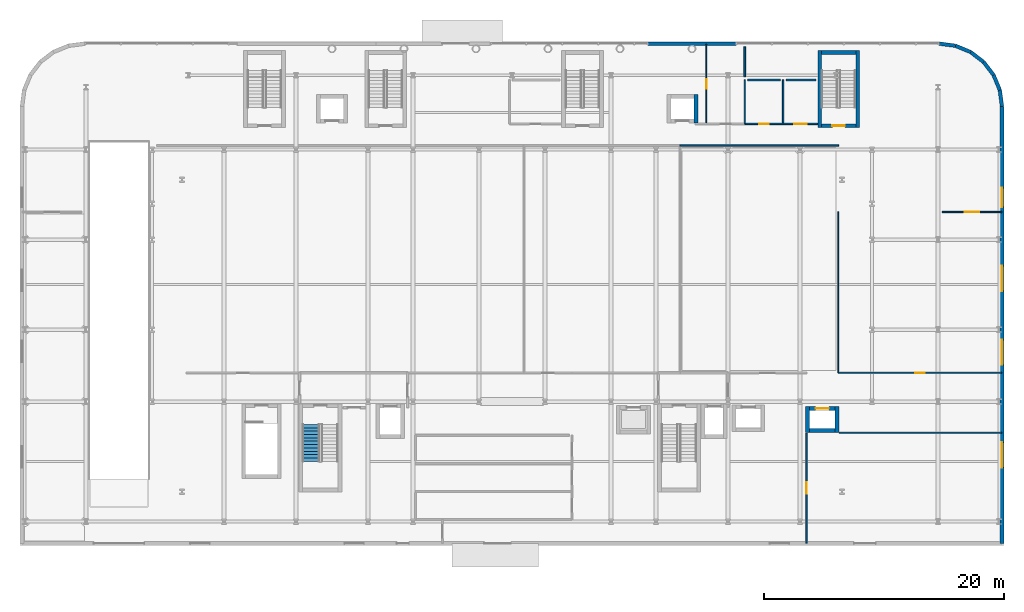
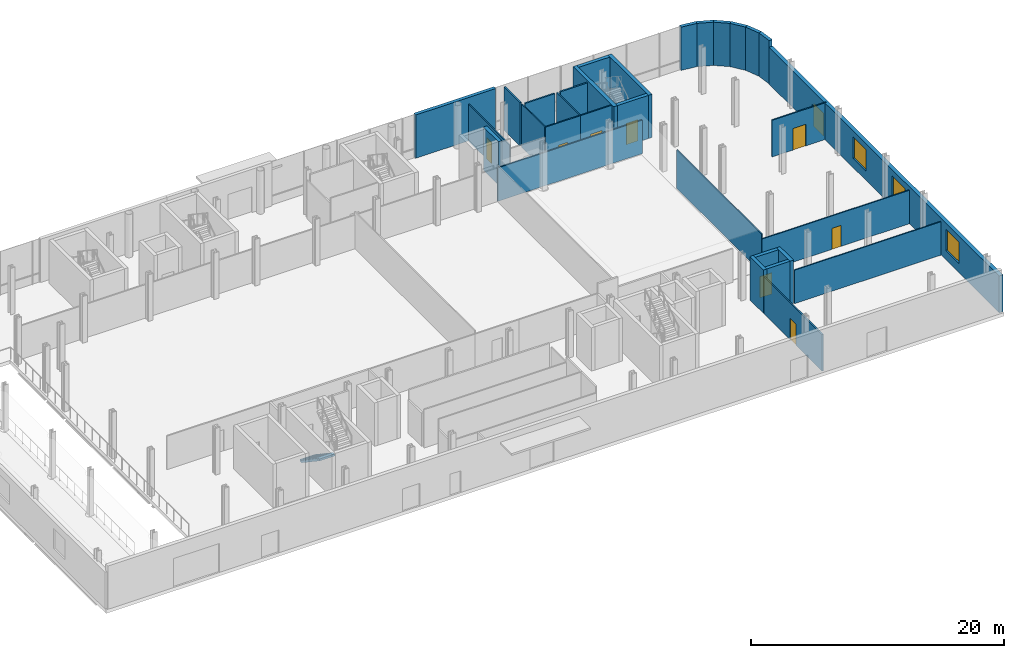
# One storey, part 20 of 28: 31 walls, 9 doors, 3 windows, 1 stair flight, 12 openings, 1 element without a shape of its own.
"""IFC4 building model written with IfcOpenShell, lengths in metres."""

from ifc_helpers import new_model, si_unit, direction, frame, frame_2d, origin, place, context, subcontext, project, spatial, polyline, rectangle, outline, extrude, material, layer, layer_set, type_object, element, fill, aggregate, save


model = new_model("IFC4")

# Units and contexts
model_context = context("Model", 3, precision=1e-05, world=origin(), true_north=direction((0.0, 1.0)))
body_context = subcontext(model_context, "Body", "Model", "MODEL_VIEW")
ifc_project = project(units=[si_unit("LENGTHUNIT", "METRE"), si_unit("AREAUNIT", "SQUARE_METRE"), si_unit("VOLUMEUNIT", "CUBIC_METRE"), si_unit("PLANEANGLEUNIT", "RADIAN"), si_unit("MASSUNIT", "GRAM", prefix="KILO")], contexts=[model_context])

# Site, building, storey
site_placement = place(None, origin())
site = spatial("IfcSite", under=ifc_project, at=site_placement, CompositionType="ELEMENT")
building_placement = place(site_placement, origin())
building = spatial("IfcBuilding", under=site, at=building_placement, Name="Brevholm Reach", CompositionType="ELEMENT")
storey_placement = place(building_placement, origin())
storey = spatial("IfcBuildingStorey", under=building, at=storey_placement, Name="L00", CompositionType="ELEMENT", Elevation=0.0)

# Walls
ifc_material_1 = material(Name="Concrete C60/75", Category="concrete")
ifc_layer_1 = layer(ifc_material_1, 0.320068359375)
ifc_layer_set_1 = layer_set([ifc_layer_1], Name="Concrete C60/75")
wall_type_1 = type_object("IfcWallType", Name="WAL-COR-320", PredefinedType="SHEAR", material=ifc_layer_set_1)
for number, where, z_axis, x_axis, name in (
    (1, (55.639892578125, 32.830078125, 0.0), (0.0, 0.0, 1.0), (0.0, 1.0, 0.0), "L00 Escape Stair ST-S4 Core Wall W"),
    (2, (58.81005859375, 32.830078125, 0.0), (0.0, 0.0, 1.0), (0.0, 1.0, 0.0), "L00 Escape Stair ST-S4 Core Wall E"),
):
    element("IfcWall", number, at=place(storey_placement, frame(where, z_axis=z_axis, x_axis=x_axis)), inside=storey, type_object=wall_type_1, Name=name, PredefinedType="SHEAR", context=body_context, shape_type="SweptSolid", body=[
        extrude(rectangle(XDim=6.419921875, YDim=0.320068359375, at=frame_2d((3.2099609375, 0.0))), origin(), (0.0, 0.0, 1.0), 4.179931640625),
    ])

# Wall, opening, door
wall_1_placement = place(storey_placement, frame((55.800048828125, 32.989990234375, 0.0), z_axis=(0.0, 0.0, 1.0), x_axis=(1.0, 0.0, 0.0)))
wall_1 = element("IfcWall", 3, at=wall_1_placement, inside=storey, type_object=wall_type_1, Name="L00 Escape Stair ST-S4 Core Wall S", PredefinedType="SHEAR", context=body_context, shape_type="SweptSolid", body=[
    extrude(rectangle(XDim=2.849853515625, YDim=0.320068359375, at=frame_2d((1.4248046875, 0.0))), origin(), (0.0, 0.0, 1.0), 4.179931640625),
])
opening_1_placement = place(wall_1_placement, frame((0.89990234375, 0.0, 0.0)))
opening_1 = element("IfcOpeningElement", 4, at=opening_1_placement, cuts=wall_1, Name="Opening SD-ST-S4", PredefinedType="OPENING", context=body_context, shape_type="SweptSolid", body=[
    extrude(rectangle(XDim=1.050048828125, YDim=2.06005859375, at=frame_2d((0.52490234375, 1.030029296875))), frame((0.0, 0.169921875, 0.0), z_axis=(0.0, -1.0, 0.0), x_axis=(1.0, 0.0, 0.0)), (0.0, 0.0, 1.0), 0.340087890625),
])
ifc_material_2 = material(Name="Hardwood-Lipped Steel-Core Fire and Smoke Door", Category="steel")
door_type_1 = type_object("IfcDoorType", Name="DOR-INT-FD60S", OperationType="NOTDEFINED", PredefinedType="DOOR", material=ifc_material_2)
door_1_placement = place(opening_1_placement, origin())
door_1 = element("IfcDoor", 5, at=door_1_placement, inside=storey, type_object=door_type_1, Name="L00 Protected Stair ST-S4 Lobby Door", OperationType="SINGLE_SWING_LEFT", OverallHeight=2.06005859375, OverallWidth=1.050048828125, PredefinedType="DOOR", context=body_context, shape_type="SweptSolid", body=[
    extrude(rectangle(XDim=1.050048828125, YDim=2.06005859375, at=frame_2d((0.52490234375, 1.030029296875))), frame((0.0, 0.02490234375, 0.0), z_axis=(0.0, -1.0, 0.0), x_axis=(1.0, 0.0, 0.0)), (0.0, 0.0, 1.0), 0.050048828125),
])
fill(opening_1, door_1)

# Walls
wall_2_placement = place(storey_placement, frame((58.64990234375, 39.090087890625, 0.0), z_axis=(0.0, 0.0, 1.0), x_axis=(-1.0, 0.0, 0.0)))
element("IfcWall", 6, at=wall_2_placement, inside=storey, type_object=wall_type_1, Name="L00 Escape Stair ST-S4 Core Wall N", PredefinedType="SHEAR", context=body_context, shape_type="SweptSolid", body=[
    extrude(rectangle(XDim=2.849853515625, YDim=0.320068359375, at=frame_2d((1.4248046875, 0.0))), origin(), (0.0, 0.0, 1.0), 4.179931640625),
])
for number, where, z_axis, x_axis, name in (
    (7, (54.6298828125, 7.419921875, 0.0), (0.0, 0.0, 1.0), (0.0, 1.0, 0.0), "L00 Lift PL-L2 Shaft Wall W"),
    (8, (57.070068359375, 7.419921875, 0.0), (0.0, 0.0, 1.0), (0.0, 1.0, 0.0), "L00 Lift PL-L2 Shaft Wall E"),
):
    element("IfcWall", number, at=place(storey_placement, frame(where, z_axis=z_axis, x_axis=x_axis)), inside=storey, type_object=wall_type_1, Name=name, PredefinedType="SHEAR", context=body_context, shape_type="SweptSolid", body=[
        extrude(rectangle(XDim=2.16015625, YDim=0.320068359375, at=frame_2d((1.080078125, 0.0))), origin(), (0.0, 0.0, 1.0), 4.179931640625),
    ])
wall_3_placement = place(storey_placement, frame((54.7900390625, 7.580078125, 0.0), z_axis=(0.0, 0.0, 1.0), x_axis=(1.0, 0.0, 0.0)))
element("IfcWall", 9, at=wall_3_placement, inside=storey, type_object=wall_type_1, Name="L00 Lift PL-L2 Shaft Wall S", PredefinedType="SHEAR", context=body_context, shape_type="SweptSolid", body=[
    extrude(rectangle(XDim=2.119873046875, YDim=0.320068359375, at=frame_2d((1.06005859375, 0.0))), origin(), (0.0, 0.0, 1.0), 4.179931640625),
])

# Wall, opening, door
wall_4_placement = place(storey_placement, frame((54.7900390625, 9.419921875, 0.0), z_axis=(0.0, 0.0, 1.0), x_axis=(1.0, 0.0, 0.0)))
wall_4 = element("IfcWall", 10, at=wall_4_placement, inside=storey, type_object=wall_type_1, Name="L00 Lift PL-L2 Shaft Wall N", PredefinedType="SHEAR", context=body_context, shape_type="SweptSolid", body=[
    extrude(rectangle(XDim=2.119873046875, YDim=0.320068359375, at=frame_2d((1.06005859375, 0.0))), origin(), (0.0, 0.0, 1.0), 4.179931640625),
])
opening_2_placement = place(wall_4_placement, frame((0.510009765625, 0.0, 0.0)))
opening_2 = element("IfcOpeningElement", 11, at=opening_2_placement, cuts=wall_4, Name="Opening LD-PL-L2", PredefinedType="OPENING", context=body_context, shape_type="SweptSolid", body=[
    extrude(rectangle(XDim=1.10009765625, YDim=2.06005859375, at=frame_2d((0.550048828125, 1.030029296875))), frame((0.0, 0.169921875, 0.0), z_axis=(0.0, -1.0, 0.0), x_axis=(1.0, 0.0, 0.0)), (0.0, 0.0, 1.0), 0.340087890625),
])
ifc_material_3 = material(Name="Brushed Stainless Steel Fire-Rated Sliding Lift Door", Category="steel")
door_type_2 = type_object("IfcDoorType", Name="DOR-LFT-1100", OperationType="NOTDEFINED", PredefinedType="DOOR", material=ifc_material_3)
door_2_placement = place(opening_2_placement, origin())
door_2 = element("IfcDoor", 12, at=door_2_placement, inside=storey, type_object=door_type_2, Name="L00 Lift PL-L2 Sliding Landing Door", OperationType="SLIDING_TO_LEFT", OverallHeight=2.06005859375, OverallWidth=1.10009765625, PredefinedType="DOOR", context=body_context, shape_type="SweptSolid", body=[
    extrude(rectangle(XDim=1.10009765625, YDim=2.06005859375, at=frame_2d((0.550048828125, 1.030029296875))), frame((0.0, 0.02490234375, 0.0), z_axis=(0.0, -1.0, 0.0), x_axis=(1.0, 0.0, 0.0)), (0.0, 0.0, 1.0), 0.050048828125),
])
fill(opening_2, door_2)

# Walls
wall_5_placement = place(storey_placement, frame((45.320068359375, 33.219970703125, 0.0), z_axis=(0.0, 0.0, 1.0), x_axis=(0.0, 1.0, 0.0)))
element("IfcWall", 13, at=wall_5_placement, inside=storey, type_object=wall_type_1, Name="L00 Lift SL-2 Shaft Wall E", PredefinedType="SHEAR", context=body_context, shape_type="SweptSolid", body=[
    extrude(rectangle(XDim=2.360107421875, YDim=0.320068359375, at=frame_2d((1.18017578125, 0.0))), origin(), (0.0, 0.0, 1.0), 4.179931640625),
])
ifc_material_4 = material(Name="Concrete C40/50", Category="concrete")
ifc_layer_2 = layer(ifc_material_4, 0.300048828125)
ifc_layer_set_2 = layer_set([ifc_layer_2], Name="Concrete C40/50")
wall_type_2 = type_object("IfcWallType", Name="WAL-EXT-300", PredefinedType="STANDARD", material=ifc_layer_set_2)
wall_6_placement = place(storey_placement, frame((65.60009765625, 39.830078125, 0.0), z_axis=(0.0, 0.0, 1.0), x_axis=(0.991442117533, -0.13054703207, 0.0)))
element("IfcWall", 14, at=wall_6_placement, inside=storey, type_object=wall_type_2, Name="L00 Facade Wall WAL-L00-NEP-1", PredefinedType="STANDARD", context=body_context, shape_type="SweptSolid", body=[
    extrude(rectangle(XDim=1.365234375, YDim=0.300048828125, at=frame_2d((0.6826171875, 0.0))), origin(), (0.0, 0.0, 1.0), 4.179931640625),
])
wall_7_placement = place(storey_placement, frame((66.95361328125, 39.65185546875, 0.0), z_axis=(0.0, 0.0, 1.0), x_axis=(0.923894797396, -0.382646577594, 0.0)))
element("IfcWall", 15, at=wall_7_placement, inside=storey, type_object=wall_type_2, Name="L00 Facade Wall WAL-L00-NEP-2", PredefinedType="STANDARD", context=body_context, shape_type="SweptSolid", body=[
    extrude(rectangle(XDim=1.365478515625, YDim=0.300048828125, at=frame_2d((0.6826171875, 0.0))), origin(), (0.0, 0.0, 1.0), 4.179931640625),
])
for number, where, z_axis, x_axis, name in (
    (16, (68.215087890625, 39.12939453125, 0.0), (0.0, 0.0, 1.0), (0.793255091989, -0.6088894473, 0.0), "L00 Facade Wall WAL-L00-NEP-3"),
    (17, (69.298095703125, 38.298095703125, 0.0), (0.0, 0.0, 1.0), (0.6088894473, -0.793255091989, 0.0), "L00 Facade Wall WAL-L00-NEP-4"),
):
    element("IfcWall", number, at=place(storey_placement, frame(where, z_axis=z_axis, x_axis=x_axis)), inside=storey, type_object=wall_type_2, Name=name, PredefinedType="STANDARD", context=body_context, shape_type="SweptSolid", body=[
        extrude(rectangle(XDim=1.365234375, YDim=0.300048828125, at=frame_2d((0.6826171875, 0.0))), origin(), (0.0, 0.0, 1.0), 4.179931640625),
    ])
wall_8_placement = place(storey_placement, frame((70.12939453125, 37.215087890625, 0.0), z_axis=(0.0, 0.0, 1.0), x_axis=(0.382646577594, -0.923894797396, 0.0)))
element("IfcWall", 18, at=wall_8_placement, inside=storey, type_object=wall_type_2, Name="L00 Facade Wall WAL-L00-NEP-5", PredefinedType="STANDARD", context=body_context, shape_type="SweptSolid", body=[
    extrude(rectangle(XDim=1.365478515625, YDim=0.300048828125, at=frame_2d((0.6826171875, 0.0))), origin(), (0.0, 0.0, 1.0), 4.179931640625),
])
wall_9_placement = place(storey_placement, frame((70.65185546875, 35.95361328125, 0.0), z_axis=(0.0, 0.0, 1.0), x_axis=(0.13054703207, -0.991442117533, 0.0)))
element("IfcWall", 19, at=wall_9_placement, inside=storey, type_object=wall_type_2, Name="L00 Facade Wall WAL-L00-NEP-6", PredefinedType="STANDARD", context=body_context, shape_type="SweptSolid", body=[
    extrude(rectangle(XDim=1.365234375, YDim=0.300048828125, at=frame_2d((0.6826171875, 0.0))), origin(), (0.0, 0.0, 1.0), 4.179931640625),
])
wall_10_placement = place(storey_placement, frame((41.35009765625, 39.830078125, 0.0), z_axis=(0.0, 0.0, 1.0), x_axis=(1.0, 0.0, 0.0)))
element("IfcWall", 20, at=wall_10_placement, inside=storey, type_object=wall_type_2, Name="L00 Facade Wall WAL-L00-NPE", PredefinedType="STANDARD", context=body_context, shape_type="SweptSolid", body=[
    extrude(rectangle(XDim=7.2998046875, YDim=0.300048828125, at=frame_2d((3.64990234375, 0.0))), origin(), (0.0, 0.0, 1.0), 4.179931640625),
])

# Wall, openings, door, windows
ifc_material_5 = material(Name="Concrete C40/50", Category="concrete")
ifc_layer_3 = layer(ifc_material_5, 0.340087890625)
ifc_layer_set_3 = layer_set([ifc_layer_3], Name="Concrete C40/50")
wall_type_3 = type_object("IfcWallType", Name="WAL-EXT-340", PredefinedType="STANDARD", material=ifc_layer_set_3)
wall_11_placement = place(storey_placement, frame((70.830078125, 34.60009765625, 0.0), z_axis=(0.0, 0.0, 1.0), x_axis=(0.0, -1.0, 0.0)))
wall_11 = element("IfcWall", 21, at=wall_11_placement, inside=storey, type_object=wall_type_3, Name="L00 Facade Wall WAL-L00-E", PredefinedType="STANDARD", context=body_context, shape_type="SweptSolid", body=[
    extrude(rectangle(XDim=36.43017578125, YDim=0.340087890625, at=frame_2d((18.215087890625, 0.0))), origin(), (0.0, 0.0, 1.0), 3.542724609375),
])
opening_3_placement = place(wall_11_placement, frame((6.800048828125, 0.0, 0.0)))
opening_3 = element("IfcOpeningElement", 22, at=opening_3_placement, cuts=wall_11, Name="Opening ED-03", PredefinedType="OPENING", context=body_context, shape_type="SweptSolid", body=[
    extrude(rectangle(XDim=1.60009765625, YDim=2.199951171875, at=frame_2d((0.800048828125, 1.10009765625))), frame((0.0, 0.179931640625, 0.0), z_axis=(0.0, -1.0, 0.0), x_axis=(1.0, 0.0, 0.0)), (0.0, 0.0, 1.0), 0.360107421875),
])
opening_4_placement = place(wall_11_placement, frame((28.0, 0.0, 0.89990234375)))
opening_4 = element("IfcOpeningElement", 23, at=opening_4_placement, cuts=wall_11, Name="Opening WN-02", PredefinedType="OPENING", context=body_context, shape_type="SweptSolid", body=[
    extrude(rectangle(XDim=2.10009765625, YDim=2.050048828125, at=frame_2d((1.050048828125, 1.02490234375))), frame((0.0, 0.179931640625, 0.0), z_axis=(0.0, -1.0, 0.0), x_axis=(1.0, 0.0, 0.0)), (0.0, 0.0, 1.0), 0.360107421875),
])
opening_5_placement = place(wall_11_placement, frame((19.449951171875, 0.0, 0.89990234375)))
opening_5 = element("IfcOpeningElement", 24, at=opening_5_placement, cuts=wall_11, Name="Opening WN-02", PredefinedType="OPENING", context=body_context, shape_type="SweptSolid", body=[
    extrude(rectangle(XDim=2.10009765625, YDim=2.050048828125, at=frame_2d((1.050048828125, 1.02490234375))), frame((0.0, 0.179931640625, 0.0), z_axis=(0.0, -1.0, 0.0), x_axis=(1.0, 0.0, 0.0)), (0.0, 0.0, 1.0), 0.360107421875),
])
opening_6_placement = place(wall_11_placement, frame((13.300048828125, 0.0, 0.89990234375)))
opening_6 = element("IfcOpeningElement", 25, at=opening_6_placement, cuts=wall_11, Name="Opening WN-02", PredefinedType="OPENING", context=body_context, shape_type="SweptSolid", body=[
    extrude(rectangle(XDim=2.10009765625, YDim=2.050048828125, at=frame_2d((1.050048828125, 1.02490234375))), frame((0.0, 0.179931640625, 0.0), z_axis=(0.0, -1.0, 0.0), x_axis=(1.0, 0.0, 0.0)), (0.0, 0.0, 1.0), 0.360107421875),
])
ifc_material_6 = material(Name="Marine Powder-Coated Galvanised Steel", Category="steel")
door_type_3 = type_object("IfcDoorType", Name="DOR-EXT-ESC", OperationType="NOTDEFINED", PredefinedType="DOOR", material=ifc_material_6)
door_3_placement = place(opening_3_placement, origin())
door_3 = element("IfcDoor", 26, at=door_3_placement, inside=storey, type_object=door_type_3, Name="L00 Exterior Door DOR-L00-EXIT-NE", OperationType="DOUBLE_DOOR_SINGLE_SWING", OverallHeight=2.199951171875, OverallWidth=1.60009765625, PredefinedType="DOOR", context=body_context, shape_type="SweptSolid", body=[
    extrude(rectangle(XDim=1.60009765625, YDim=2.199951171875, at=frame_2d((0.800048828125, 1.10009765625))), frame((0.0, 0.02490234375, 0.0), z_axis=(0.0, -1.0, 0.0), x_axis=(1.0, 0.0, 0.0)), (0.0, 0.0, 1.0), 0.050048828125),
])
fill(opening_3, door_3)
ifc_material_7 = material(Name="Dark Anodised Aluminium and Solar-Control IGU Glass", Category="aluminium")
window_type = type_object("IfcWindowType", Name="WIN-SCH-2100", PartitioningType="SINGLE_PANEL", PredefinedType="WINDOW", material=ifc_material_7)
window_1_placement = place(opening_4_placement, origin())
window_1 = element("IfcWindow", 27, at=window_1_placement, inside=storey, type_object=window_type, Name="L00 Window WIN-L00-E-1", OverallHeight=2.050048828125, OverallWidth=2.10009765625, PartitioningType="SINGLE_PANEL", PredefinedType="WINDOW", context=body_context, shape_type="SweptSolid", body=[
    extrude(rectangle(XDim=2.10009765625, YDim=2.050048828125, at=frame_2d((1.050048828125, 1.02490234375))), frame((0.0, 0.030029296875, 0.0), z_axis=(0.0, -1.0, 0.0), x_axis=(1.0, 0.0, 0.0)), (0.0, 0.0, 1.0), 0.06005859375),
])
fill(opening_4, window_1)
window_2_placement = place(opening_5_placement, origin())
window_2 = element("IfcWindow", 28, at=window_2_placement, inside=storey, type_object=window_type, Name="L00 Window WIN-L00-E-2", OverallHeight=2.050048828125, OverallWidth=2.10009765625, PartitioningType="SINGLE_PANEL", PredefinedType="WINDOW", context=body_context, shape_type="SweptSolid", body=[
    extrude(rectangle(XDim=2.10009765625, YDim=2.050048828125, at=frame_2d((1.050048828125, 1.02490234375))), frame((0.0, 0.030029296875, 0.0), z_axis=(0.0, -1.0, 0.0), x_axis=(1.0, 0.0, 0.0)), (0.0, 0.0, 1.0), 0.06005859375),
])
fill(opening_5, window_2)
window_3_placement = place(opening_6_placement, origin())
window_3 = element("IfcWindow", 29, at=window_3_placement, inside=storey, type_object=window_type, Name="L00 Window WIN-L00-E-3", OverallHeight=2.050048828125, OverallWidth=2.10009765625, PartitioningType="SINGLE_PANEL", PredefinedType="WINDOW", context=body_context, shape_type="SweptSolid", body=[
    extrude(rectangle(XDim=2.10009765625, YDim=2.050048828125, at=frame_2d((1.050048828125, 1.02490234375))), frame((0.0, 0.030029296875, 0.0), z_axis=(0.0, -1.0, 0.0), x_axis=(1.0, 0.0, 0.0)), (0.0, 0.0, 1.0), 0.06005859375),
])
fill(opening_6, window_3)

# Wall
ifc_material_8 = material(Name="Moisture-Resistant Acoustic Gypsum Stud Partition 100 mm", Category="gypsum")
ifc_layer_4 = layer(ifc_material_8, 0.10009765625)
ifc_layer_set_4 = layer_set([ifc_layer_4], Name="Moisture-Resistant Acoustic Gypsum Stud Partition 100 mm")
wall_type_4 = type_object("IfcWallType", Name="WAL-PRT-100", PredefinedType="PARTITIONING", material=ifc_layer_set_4)
wall_12_placement = place(storey_placement, frame((57.27001953125, 7.39990234375, 0.0), z_axis=(0.0, 0.0, 1.0), x_axis=(1.0, 0.0, 0.0)))
element("IfcWall", 30, at=wall_12_placement, inside=storey, type_object=wall_type_4, Name="L00 Internal Partition 024", PredefinedType="PARTITIONING", context=body_context, shape_type="SweptSolid", body=[
    extrude(rectangle(XDim=13.530029296875, YDim=0.10009765625, at=frame_2d((6.76513671875, 0.0))), origin(), (0.0, 0.0, 1.0), 3.228515625),
])

# Wall, opening, door
wall_13_placement = place(storey_placement, frame((57.199951171875, 12.39990234375, 0.0), z_axis=(0.0, 0.0, 1.0), x_axis=(1.0, 0.0, 0.0)))
wall_13 = element("IfcWall", 31, at=wall_13_placement, inside=storey, type_object=wall_type_4, Name="L00 Internal Partition 025", PredefinedType="PARTITIONING", context=body_context, shape_type="SweptSolid", body=[
    extrude(rectangle(XDim=13.60009765625, YDim=0.10009765625, at=frame_2d((6.800048828125, 0.0))), origin(), (0.0, 0.0, 1.0), 3.228515625),
])
opening_7_placement = place(wall_13_placement, frame((6.389892578125, 0.0, 0.0)))
opening_7 = element("IfcOpeningElement", 32, at=opening_7_placement, cuts=wall_13, Name="Opening ID-03", PredefinedType="OPENING", context=body_context, shape_type="SweptSolid", body=[
    extrude(rectangle(XDim=0.820068359375, YDim=2.02001953125, at=frame_2d((0.41015625, 1.010009765625))), frame((0.0, 0.06005859375, 0.0), z_axis=(0.0, -1.0, 0.0), x_axis=(1.0, 0.0, 0.0)), (0.0, 0.0, 1.0), 0.1201171875),
])
ifc_material_9 = material(Name="Moisture-Resistant Painted Timber Internal Bathroom Door", Category="wood")
door_type_4 = type_object("IfcDoorType", Name="DOR-BATH-820", OperationType="NOTDEFINED", PredefinedType="DOOR", material=ifc_material_9)
door_4_placement = place(opening_7_placement, origin())
door_4 = element("IfcDoor", 33, at=door_4_placement, inside=storey, type_object=door_type_4, Name="L00 Access Door 020", OperationType="SINGLE_SWING_LEFT", OverallHeight=2.02001953125, OverallWidth=0.820068359375, PredefinedType="DOOR", context=body_context, shape_type="SweptSolid", body=[
    extrude(rectangle(XDim=0.820068359375, YDim=2.02001953125, at=frame_2d((0.41015625, 1.010009765625))), frame((0.0, 0.02490234375, 0.0), z_axis=(0.0, -1.0, 0.0), x_axis=(1.0, 0.0, 0.0)), (0.0, 0.0, 1.0), 0.050048828125),
])
fill(opening_7, door_4)

wall_14_placement = place(storey_placement, frame((46.199951171875, 33.154052734375, 0.0), z_axis=(0.0, 0.0, 1.0), x_axis=(0.0, 1.0, 0.0)))
wall_14 = element("IfcWall", 34, at=wall_14_placement, inside=storey, type_object=wall_type_4, Name="L00 Internal Partition 037", PredefinedType="PARTITIONING", context=body_context, shape_type="SweptSolid", body=[
    extrude(rectangle(XDim=6.6259765625, YDim=0.10009765625, at=frame_2d((3.31298828125, 0.0))), origin(), (0.0, 0.0, 1.0), 3.542724609375),
])
opening_8_placement = place(wall_14_placement, frame((2.903076171875, 0.0, 0.0)))
opening_8 = element("IfcOpeningElement", 35, at=opening_8_placement, cuts=wall_14, Name="Opening ID-03", PredefinedType="OPENING", context=body_context, shape_type="SweptSolid", body=[
    extrude(rectangle(XDim=0.820068359375, YDim=2.02001953125, at=frame_2d((0.41015625, 1.010009765625))), frame((0.0, 0.06005859375, 0.0), z_axis=(0.0, -1.0, 0.0), x_axis=(1.0, 0.0, 0.0)), (0.0, 0.0, 1.0), 0.1201171875),
])
door_5_placement = place(opening_8_placement, origin())
door_5 = element("IfcDoor", 36, at=door_5_placement, inside=storey, type_object=door_type_4, Name="L00 Access Door 021", OperationType="SINGLE_SWING_RIGHT", OverallHeight=2.02001953125, OverallWidth=0.820068359375, PredefinedType="DOOR", context=body_context, shape_type="SweptSolid", body=[
    extrude(rectangle(XDim=0.820068359375, YDim=2.02001953125, at=frame_2d((0.41015625, 1.010009765625))), frame((0.0, 0.02490234375, 0.0), z_axis=(0.0, -1.0, 0.0), x_axis=(1.0, 0.0, 0.0)), (0.0, 0.0, 1.0), 0.050048828125),
])
fill(opening_8, door_5)

# Walls
wall_15_placement = place(storey_placement, frame((49.39990234375, 33.154052734375, 0.0), z_axis=(0.0, 0.0, 1.0), x_axis=(0.0, 1.0, 0.0)))
element("IfcWall", 37, at=wall_15_placement, inside=storey, type_object=wall_type_4, Name="L00 Internal Partition 038", PredefinedType="PARTITIONING", context=body_context, shape_type="SweptSolid", body=[
    extrude(rectangle(XDim=3.6572265625, YDim=0.10009765625, at=frame_2d((1.82861328125, 0.0))), origin(), (0.0, 0.0, 1.0), 4.179931640625),
])
wall_16_placement = place(storey_placement, frame((57.199951171875, 12.404052734375, 0.0), z_axis=(0.0, 0.0, 1.0), x_axis=(0.0, 1.0, 0.0)))
element("IfcWall", 38, at=wall_16_placement, inside=storey, type_object=wall_type_4, Name="L00 Internal Partition 042", PredefinedType="PARTITIONING", context=body_context, shape_type="SweptSolid", body=[
    extrude(rectangle(XDim=13.4072265625, YDim=0.10009765625, at=frame_2d((6.70361328125, 0.0))), origin(), (0.0, 0.0, 1.0), 3.697998046875),
])

# Wall, opening, door
ifc_material_10 = material(Name="Acoustic Fire-Rated Classroom Gypsum Partition 120 mm", Category="gypsum")
ifc_layer_5 = layer(ifc_material_10, 0.1201171875)
ifc_layer_set_5 = layer_set([ifc_layer_5], Name="Acoustic Fire-Rated Classroom Gypsum Partition 120 mm")
wall_type_5 = type_object("IfcWallType", Name="WAL-PRT-120", PredefinedType="PARTITIONING", material=ifc_layer_set_5)
wall_17_placement = place(storey_placement, frame((54.550048828125, -1.800048828125, 0.0), z_axis=(0.0, 0.0, 1.0), x_axis=(0.0, 1.0, 0.0)))
wall_17 = element("IfcWall", 39, at=wall_17_placement, inside=storey, type_object=wall_type_5, Name="L00 Internal Partition 018", PredefinedType="PARTITIONING", context=body_context, shape_type="SweptSolid", body=[
    extrude(rectangle(XDim=9.179931640625, YDim=0.1201171875, at=frame_2d((4.58984375, 0.0))), origin(), (0.0, 0.0, 1.0), 3.542724609375),
])
opening_9_placement = place(wall_17_placement, frame((4.114990234375, 0.0, 0.0)))
opening_9 = element("IfcOpeningElement", 40, at=opening_9_placement, cuts=wall_17, Name="Opening ID-30", PredefinedType="OPENING", context=body_context, shape_type="SweptSolid", body=[
    extrude(rectangle(XDim=0.949951171875, YDim=2.050048828125, at=frame_2d((0.47509765625, 1.02490234375))), frame((0.0, 0.070068359375, 0.0), z_axis=(0.0, -1.0, 0.0), x_axis=(1.0, 0.0, 0.0)), (0.0, 0.0, 1.0), 0.14013671875),
])
ifc_material_11 = material(Name="European Oak Veneered Solid-Core Fire Entrance Door", Category="timber")
door_type_5 = type_object("IfcDoorType", Name="DOR-FLT-FD30S", OperationType="NOTDEFINED", PredefinedType="DOOR", material=ifc_material_11)
door_6_placement = place(opening_9_placement, origin())
door_6 = element("IfcDoor", 41, at=door_6_placement, inside=storey, type_object=door_type_5, Name="L00 Internal Door 010", OperationType="SINGLE_SWING_LEFT", OverallHeight=2.050048828125, OverallWidth=0.949951171875, PredefinedType="DOOR", context=body_context, shape_type="SweptSolid", body=[
    extrude(rectangle(XDim=0.949951171875, YDim=2.050048828125, at=frame_2d((0.47509765625, 1.02490234375))), frame((0.0, 0.02490234375, 0.0), z_axis=(0.0, -1.0, 0.0), x_axis=(1.0, 0.0, 0.0)), (0.0, 0.0, 1.0), 0.050048828125),
])
fill(opening_9, door_6)

wall_18_placement = place(storey_placement, frame((49.392578125, 33.14990234375, 0.0), z_axis=(0.0, 0.0, 1.0), x_axis=(1.0, 0.0, 0.0)))
wall_18 = element("IfcWall", 42, at=wall_18_placement, inside=storey, type_object=wall_type_5, Name="L00 Internal Partition 029", PredefinedType="PARTITIONING", context=body_context, shape_type="SweptSolid", body=[
    extrude(rectangle(XDim=3.21875, YDim=0.1201171875, at=frame_2d((1.609375, 0.0))), origin(), (0.0, 0.0, 1.0), 4.179931640625),
])
opening_10_placement = place(wall_18_placement, frame((1.19921875, 0.0, 0.0)))
opening_10 = element("IfcOpeningElement", 43, at=opening_10_placement, cuts=wall_18, Name="Opening ID-02", PredefinedType="OPENING", context=body_context, shape_type="SweptSolid", body=[
    extrude(rectangle(XDim=0.820068359375, YDim=2.02001953125, at=frame_2d((0.41015625, 1.010009765625))), frame((0.0, 0.070068359375, 0.0), z_axis=(0.0, -1.0, 0.0), x_axis=(1.0, 0.0, 0.0)), (0.0, 0.0, 1.0), 0.14013671875),
])
ifc_material_12 = material(Name="Moisture-Resistant Painted Timber Fire-Rated Riser and Service Door", Category="wood")
door_type_6 = type_object("IfcDoorType", Name="DOR-SRV-820", OperationType="NOTDEFINED", PredefinedType="DOOR", material=ifc_material_12)
door_7_placement = place(opening_10_placement, origin())
door_7 = element("IfcDoor", 44, at=door_7_placement, inside=storey, type_object=door_type_6, Name="L00 Internal Door 016", OperationType="SINGLE_SWING_LEFT", OverallHeight=2.02001953125, OverallWidth=0.820068359375, PredefinedType="DOOR", context=body_context, shape_type="SweptSolid", body=[
    extrude(rectangle(XDim=0.820068359375, YDim=2.02001953125, at=frame_2d((0.41015625, 1.010009765625))), frame((0.0, 0.02490234375, 0.0), z_axis=(0.0, -1.0, 0.0), x_axis=(1.0, 0.0, 0.0)), (0.0, 0.0, 1.0), 0.050048828125),
])
fill(opening_10, door_7)

wall_19_placement = place(storey_placement, frame((52.5927734375, 33.14990234375, 0.0), z_axis=(0.0, 0.0, 1.0), x_axis=(1.0, 0.0, 0.0)))
wall_19 = element("IfcWall", 45, at=wall_19_placement, inside=storey, type_object=wall_type_5, Name="L00 Internal Partition 030", PredefinedType="PARTITIONING", context=body_context, shape_type="SweptSolid", body=[
    extrude(rectangle(XDim=2.868408203125, YDim=0.1201171875, at=frame_2d((1.43408203125, 0.0))), origin(), (0.0, 0.0, 1.0), 4.179931640625),
])
opening_11_placement = place(wall_19_placement, frame((0.9091796875, 0.0, 0.0)))
opening_11 = element("IfcOpeningElement", 46, at=opening_11_placement, cuts=wall_19, Name="Opening FD-01", PredefinedType="OPENING", context=body_context, shape_type="SweptSolid", body=[
    extrude(rectangle(XDim=1.050048828125, YDim=2.06005859375, at=frame_2d((0.52490234375, 1.030029296875))), frame((0.0, 0.070068359375, 0.0), z_axis=(0.0, -1.0, 0.0), x_axis=(1.0, 0.0, 0.0)), (0.0, 0.0, 1.0), 0.14013671875),
])
door_8_placement = place(opening_11_placement, origin())
door_8 = element("IfcDoor", 47, at=door_8_placement, inside=storey, type_object=door_type_1, Name="L00 Internal Door 017", OperationType="SINGLE_SWING_RIGHT", OverallHeight=2.06005859375, OverallWidth=1.050048828125, PredefinedType="DOOR", context=body_context, shape_type="SweptSolid", body=[
    extrude(rectangle(XDim=1.050048828125, YDim=2.06005859375, at=frame_2d((0.52490234375, 1.030029296875))), frame((0.0, 0.02490234375, 0.0), z_axis=(0.0, -1.0, 0.0), x_axis=(1.0, 0.0, 0.0)), (0.0, 0.0, 1.0), 0.050048828125),
])
fill(opening_11, door_8)

# Wall
wall_20_placement = place(storey_placement, frame((43.99267578125, 31.35009765625, 0.0), z_axis=(0.0, 0.0, 1.0), x_axis=(1.0, 0.0, 0.0)))
element("IfcWall", 48, at=wall_20_placement, inside=storey, type_object=wall_type_5, Name="L00 Internal Partition 034", PredefinedType="PARTITIONING", context=body_context, shape_type="SweptSolid", body=[
    extrude(rectangle(XDim=13.218505859375, YDim=0.1201171875, at=frame_2d((6.609375, 0.0))), origin(), (0.0, 0.0, 1.0), 3.228515625),
])

# Wall, opening, door
wall_21_placement = place(storey_placement, frame((65.85009765625, 25.800048828125, 0.0), z_axis=(0.0, 0.0, 1.0), x_axis=(1.0, 0.0, 0.0)))
wall_21 = element("IfcWall", 49, at=wall_21_placement, inside=storey, type_object=wall_type_5, Name="L00 Internal Partition 035", PredefinedType="PARTITIONING", context=body_context, shape_type="SweptSolid", body=[
    extrude(rectangle(XDim=4.949951171875, YDim=0.1201171875, at=frame_2d((2.47509765625, 0.0))), origin(), (0.0, 0.0, 1.0), 3.542724609375),
])
opening_12_placement = place(wall_21_placement, frame((1.875, 0.0, 0.0)))
opening_12 = element("IfcOpeningElement", 50, at=opening_12_placement, cuts=wall_21, Name="Opening ID-SC", PredefinedType="OPENING", context=body_context, shape_type="SweptSolid", body=[
    extrude(rectangle(XDim=1.199951171875, YDim=2.080078125, at=frame_2d((0.60009765625, 1.0400390625))), frame((0.0, 0.070068359375, 0.0), z_axis=(0.0, -1.0, 0.0), x_axis=(1.0, 0.0, 0.0)), (0.0, 0.0, 1.0), 0.14013671875),
])
ifc_material_13 = material(Name="Acoustic European Oak Classroom Vision-Panel Fire Door", Category="timber")
door_type_7 = type_object("IfcDoorType", Name="DOR-SCH-1200", OperationType="NOTDEFINED", PredefinedType="DOOR", material=ifc_material_13)
door_9_placement = place(opening_12_placement, origin())
door_9 = element("IfcDoor", 51, at=door_9_placement, inside=storey, type_object=door_type_7, Name="L00 Internal Door 019", OperationType="SINGLE_SWING_RIGHT", OverallHeight=2.080078125, OverallWidth=1.199951171875, PredefinedType="DOOR", context=body_context, shape_type="SweptSolid", body=[
    extrude(rectangle(XDim=1.199951171875, YDim=2.080078125, at=frame_2d((0.60009765625, 1.0400390625))), frame((0.0, 0.02490234375, 0.0), z_axis=(0.0, -1.0, 0.0), x_axis=(1.0, 0.0, 0.0)), (0.0, 0.0, 1.0), 0.050048828125),
])
fill(opening_12, door_9)

# Walls
wall_22_placement = place(storey_placement, frame((52.60009765625, 33.154052734375, 0.0), z_axis=(0.0, 0.0, 1.0), x_axis=(0.0, 1.0, 0.0)))
element("IfcWall", 52, at=wall_22_placement, inside=storey, type_object=wall_type_5, Name="L00 Internal Partition 039", PredefinedType="PARTITIONING", context=body_context, shape_type="SweptSolid", body=[
    extrude(rectangle(XDim=3.64599609375, YDim=0.1201171875, at=frame_2d((1.822998046875, 0.0))), origin(), (0.0, 0.0, 1.0), 4.179931640625),
])
ifc_material_14 = material(Name="Twin-Stud Acoustic Fire-Rated Gypsum Partition 140 mm", Category="gypsum")
ifc_layer_6 = layer(ifc_material_14, 0.139892578125)
ifc_layer_set_6 = layer_set([ifc_layer_6], Name="Twin-Stud Acoustic Fire-Rated Gypsum Partition 140 mm")
wall_type_6 = type_object("IfcWallType", Name="WAL-PRT-140", PredefinedType="PARTITIONING", material=ifc_layer_set_6)
wall_23_placement = place(storey_placement, frame((49.39990234375, 37.05126953125, 0.0), z_axis=(0.0, 0.0, 1.0), x_axis=(0.0, 1.0, 0.0)))
element("IfcWall", 53, at=wall_23_placement, inside=storey, type_object=wall_type_6, Name="L00 Internal Partition 046", PredefinedType="PARTITIONING", context=body_context, shape_type="SweptSolid", body=[
    extrude(rectangle(XDim=2.498779296875, YDim=0.139892578125, at=frame_2d((1.24951171875, 0.0))), origin(), (0.0, 0.0, 1.0), 4.179931640625),
])
wall_24_placement = place(storey_placement, frame((49.639892578125, 36.800048828125, 0.0), z_axis=(0.0, 0.0, 1.0), x_axis=(1.0, 0.0, 0.0)))
element("IfcWall", 54, at=wall_24_placement, inside=storey, type_object=wall_type_6, Name="L00 Internal Partition 047", PredefinedType="PARTITIONING", context=body_context, shape_type="SweptSolid", body=[
    extrude(rectangle(XDim=2.72021484375, YDim=0.139892578125, at=frame_2d((1.360107421875, 0.0))), origin(), (0.0, 0.0, 1.0), 4.179931640625),
])
wall_25_placement = place(storey_placement, frame((52.840087890625, 36.800048828125, 0.0), z_axis=(0.0, 0.0, 1.0), x_axis=(1.0, 0.0, 0.0)))
element("IfcWall", 55, at=wall_25_placement, inside=storey, type_object=wall_type_6, Name="L00 Internal Partition 048", PredefinedType="PARTITIONING", context=body_context, shape_type="SweptSolid", body=[
    extrude(rectangle(XDim=2.489990234375, YDim=0.139892578125, at=frame_2d((1.2451171875, 0.0))), origin(), (0.0, 0.0, 1.0), 4.179931640625),
])

# Stair, stair flight
ifc_material_15 = material(Name="Precast Concrete C40/50", Category="concrete")
stair_type = type_object("IfcStairType", Name="STR-ESC-1400", PredefinedType="DOUBLE_RETURN_STAIR", material=ifc_material_15)
stair_placement = place(storey_placement, origin())
stair = element("IfcStair", 56, at=stair_placement, inside=storey, type_object=stair_type, Name="L00 ST-1", PredefinedType="DOUBLE_RETURN_STAIR")
ifc_material_16 = material(Name="Precast Concrete C40/50", Category="concrete")
ifc_layer_7 = layer(ifc_material_16, 0.18505859375)
ifc_layer_set_7 = layer_set([ifc_layer_7], Name="Precast Concrete C40/50")
stair_flight_type = type_object("IfcStairFlightType", Name="STF-PRC-185", PredefinedType="STRAIGHT", material=ifc_layer_set_7)
stair_flight_placement = place(storey_placement, frame((13.25, 8.10009765625, 0.0), z_axis=(0.0, 0.0, 1.0), x_axis=(0.0, -1.0, 0.0)))
stair_flight = element("IfcStairFlight", 57, at=stair_flight_placement, type_object=stair_flight_type, Name="ST-1 flight 1", NumberOfRisers=12, NumberOfTreads=11, PredefinedType="STRAIGHT", RiserHeight=0.1875, TreadLength=0.28, context=body_context, shape_type="SweptSolid", body=[
    extrude(outline(polyline([(0.0, 0.0), (0.0, 0.1875), (0.280029296875, 0.1875), (0.280029296875, 0.375), (0.56005859375, 0.375), (0.56005859375, 0.5625), (0.840087890625, 0.5625), (0.840087890625, 0.75), (1.1201171875, 0.75), (1.1201171875, 0.9375), (1.39990234375, 0.9375), (1.39990234375, 1.125), (1.679931640625, 1.125), (1.679931640625, 1.3125), (1.9599609375, 1.3125), (1.9599609375, 1.5), (2.239990234375, 1.5), (2.239990234375, 1.6875), (2.52001953125, 1.6875), (2.52001953125, 1.875), (2.800048828125, 1.875), (2.800048828125, 2.0625), (3.080078125, 2.0625), (3.080078125, 2.25), (3.080078125, 1.882080078125), (0.26953125, 0.0), (0.0, 0.0)])), frame((0.0, 0.699951171875, 0.0), z_axis=(0.0, -1.0, 0.0), x_axis=(1.0, 0.0, 0.0)), (0.0, 0.0, 1.0), 1.39990234375),
])
aggregate(stair, [stair_flight])

save(model, "model.ifc")
